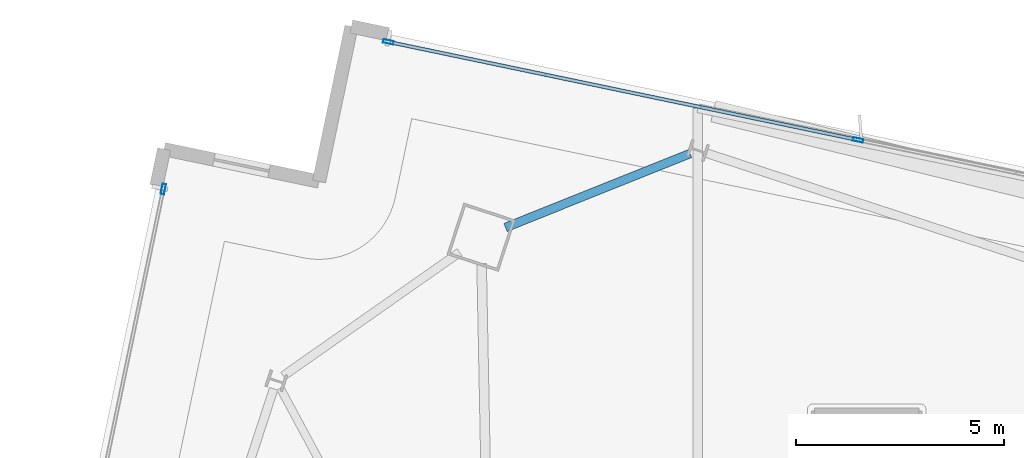
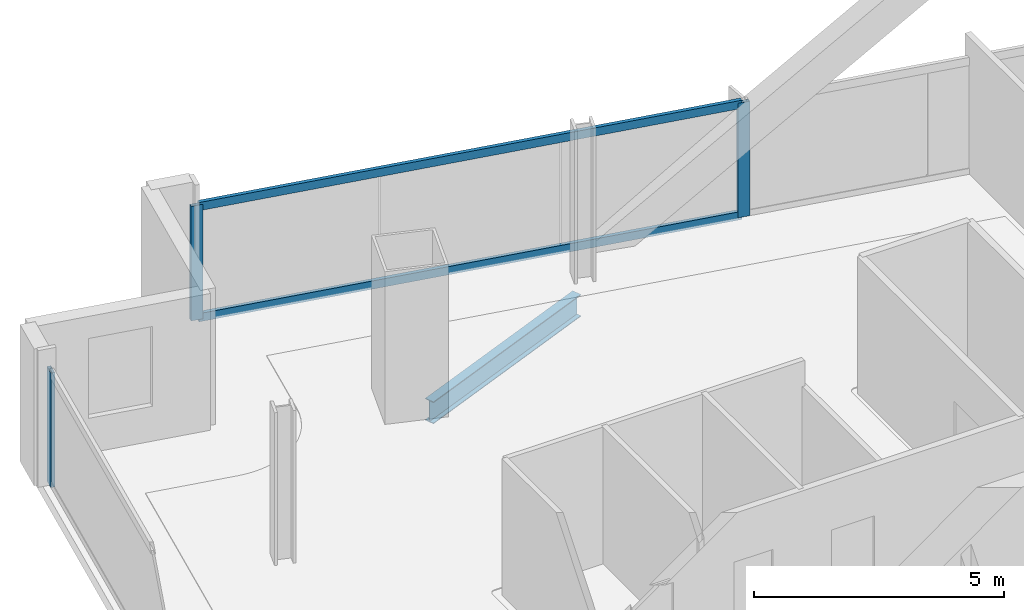
# One storey, part 13 of 24: 5 members, 1 beam, 2 elements without a shape of their own.
"""IFC4 building model written with IfcOpenShell, lengths in metres."""

from ifc_helpers import new_model, si_unit, direction, frame, origin, origin_2d, place, context, subcontext, project, spatial, hollow_rectangle, i_section, extrude, material, material_profile, profile_set, type_object, element, aggregate, save


model = new_model("IFC4")

# Units and contexts
model_context = context("Model", 3, precision=1e-05, world=origin(), true_north=direction((0.0, 1.0)))
body_context = subcontext(model_context, "Body", "Model", "MODEL_VIEW")
ifc_project = project(units=[si_unit("LENGTHUNIT", "METRE"), si_unit("AREAUNIT", "SQUARE_METRE"), si_unit("VOLUMEUNIT", "CUBIC_METRE"), si_unit("PLANEANGLEUNIT", "RADIAN"), si_unit("MASSUNIT", "GRAM", prefix="KILO")], contexts=[model_context])

# Site, building, storey
site_placement = place(None, origin())
site = spatial("IfcSite", under=ifc_project, at=site_placement, CompositionType="ELEMENT")
building_placement = place(site_placement, origin())
building = spatial("IfcBuilding", under=site, at=building_placement, Name="Haldenkirk Collegiate Tower", CompositionType="ELEMENT")
storey_placement = place(building_placement, frame((0.0, 0.0, 289.949951171875)))
storey = spatial("IfcBuildingStorey", under=building, at=storey_placement, Name="L73", CompositionType="ELEMENT", Elevation=289.949951171875)

# Beam
ifc_material_1 = material(Name="Steel ASTM A992 Grade 50", Category="steel")
ifc_material_profile_1 = material_profile(ifc_material_1, i_section(OverallWidth=0.2099609375, OverallDepth=0.537109375, WebThickness=0.010986328125, FlangeThickness=0.017333984375, at=origin_2d()), Name="W21X68")
ifc_profile_set_1 = profile_set([ifc_material_profile_1], Name="Steel ASTM A992 Grade 50")
beam_type = type_object("IfcBeamType", Name="BM-SPANDREL-W21X68", PredefinedType="SPANDREL", material=ifc_profile_set_1)
beam_placement = place(storey_placement, frame((31.761474609375, 49.0830078125, -0.538330078125), z_axis=(-0.928296709602, -0.371840313768, 0.0), x_axis=(0.371840313768, -0.928296709602, 0.0)))
element("IfcBeam", 1, at=beam_placement, inside=storey, type_object=beam_type, Name="L73 perimeter spandrel beam 08", PredefinedType="SPANDREL", context=body_context, shape_type="SweptSolid", body=[
    extrude(i_section(OverallWidth=0.2099609375, OverallDepth=0.537109375, WebThickness=0.010986328125, FlangeThickness=0.017333984375, at=origin_2d()), origin(), (0.0, 0.0, 1.0), 4.77392578125),
])

# Curtain wall, members
ifc_material_2 = material(Name="Anodised architectural bronze aluminium", Category="aluminium")
curtain_wall_type = type_object("IfcCurtainWallType", Name="CW-SYS1B-CONVEX-HI", PredefinedType="USERDEFINED", material=ifc_material_2)
curtain_wall_1_placement = place(storey_placement, origin())
curtain_wall_1 = element("IfcCurtainWall", 2, at=curtain_wall_1_placement, inside=storey, type_object=curtain_wall_type, Name="L73 Upper tower high-wind convex bronze unitised curtain wall", ObjectType="UNITISED CURTAIN WALL", PredefinedType="USERDEFINED")
ifc_material_profile_2 = material_profile(ifc_material_2, hollow_rectangle(XDim=0.0849609375, YDim=0.25, WallThickness=0.0048828125, at=origin_2d()), Name="CW-MUL-1B")
ifc_profile_set_2 = profile_set([ifc_material_profile_2], Name="Anodised architectural bronze aluminium")
member_type_1 = type_object("IfcMemberType", Name="CW-MUL-1B", PredefinedType="MULLION", material=ifc_profile_set_2)
member_1_placement = place(storey_placement, frame((24.518310546875, 51.762451171875, 0.0), z_axis=(0.0, 0.0, 1.0), x_axis=(0.204496189491, 0.978867360005, 0.0)))
member_1 = element("IfcMember", 3, at=member_1_placement, type_object=member_type_1, Name="CW-1B mullion 1", PredefinedType="MULLION", context=body_context, shape_type="SweptSolid", body=[
    extrude(hollow_rectangle(XDim=0.0849609375, YDim=0.25, WallThickness=0.0048828125, at=origin_2d()), origin(), (0.0, 0.0, 1.0), 2.798095703125),
])
member_2_placement = place(storey_placement, frame((35.790771484375, 49.407470703125, 0.0), z_axis=(0.0, 0.0, 1.0), x_axis=(0.204496189491, 0.978867360005, 0.0)))
member_2 = element("IfcMember", 4, at=member_2_placement, type_object=member_type_1, Name="CW-1B mullion 2", PredefinedType="MULLION", context=body_context, shape_type="SweptSolid", body=[
    extrude(hollow_rectangle(XDim=0.0849609375, YDim=0.25, WallThickness=0.0048828125, at=origin_2d()), origin(), (0.0, 0.0, 1.0), 2.798095703125),
])

# Curtain wall, member
curtain_wall_2_placement = place(storey_placement, origin())
curtain_wall_2 = element("IfcCurtainWall", 5, at=curtain_wall_2_placement, inside=storey, type_object=curtain_wall_type, Name="L73 Upper tower high-wind convex bronze unitised curtain wall", ObjectType="UNITISED CURTAIN WALL", PredefinedType="USERDEFINED")
member_3_placement = place(storey_placement, frame((19.119140625, 48.229248046875, 0.0), z_axis=(0.0, 0.0, 1.0), x_axis=(-0.978866833362, 0.204498710371, 0.0)))
member_3 = element("IfcMember", 6, at=member_3_placement, type_object=member_type_1, Name="CW-1B mullion 4", PredefinedType="MULLION", context=body_context, shape_type="SweptSolid", body=[
    extrude(hollow_rectangle(XDim=0.0849609375, YDim=0.25, WallThickness=0.0048828125, at=origin_2d()), origin(), (0.0, 0.0, 1.0), 2.798095703125),
])
aggregate(curtain_wall_2, [member_3])

# Member
ifc_material_profile_3 = material_profile(ifc_material_2, hollow_rectangle(XDim=0.0849609375, YDim=0.199951171875, WallThickness=0.0048828125, at=origin_2d()), Name="CW-TRN-1B")
ifc_profile_set_3 = profile_set([ifc_material_profile_3], Name="Anodised architectural bronze aluminium")
member_type_2 = type_object("IfcMemberType", Name="CW-TRN-1B", PredefinedType="USERDEFINED", material=ifc_profile_set_3)
member_4_placement = place(storey_placement, frame((24.559814453125, 51.753662109375, 0.04248046875), z_axis=(0.978869931425, -0.204483880419, 0.0), x_axis=(0.204483880419, 0.978869931425, 0.0)))
member_4 = element("IfcMember", 7, at=member_4_placement, type_object=member_type_2, Name="CW-1B transom 1.1", ObjectType="TRANSOM", PredefinedType="USERDEFINED", context=body_context, shape_type="SweptSolid", body=[
    extrude(hollow_rectangle(XDim=0.0849609375, YDim=0.199951171875, WallThickness=0.0048828125, at=origin_2d()), origin(), (0.0, 0.0, 1.0), 11.4306640625),
])

member_5_placement = place(storey_placement, frame((24.559814453125, 51.753662109375, 2.755615234375), z_axis=(0.978869931425, -0.204483880419, 0.0), x_axis=(0.204483880419, 0.978869931425, 0.0)))
member_5 = element("IfcMember", 8, at=member_5_placement, type_object=member_type_2, Name="CW-1B transom 1.2", ObjectType="TRANSOM", PredefinedType="USERDEFINED", context=body_context, shape_type="SweptSolid", body=[
    extrude(hollow_rectangle(XDim=0.0849609375, YDim=0.199951171875, WallThickness=0.0048828125, at=origin_2d()), origin(), (0.0, 0.0, 1.0), 11.4306640625),
])

aggregate(curtain_wall_1, [member_1, member_2, member_4, member_5])

save(model, "model.ifc")
